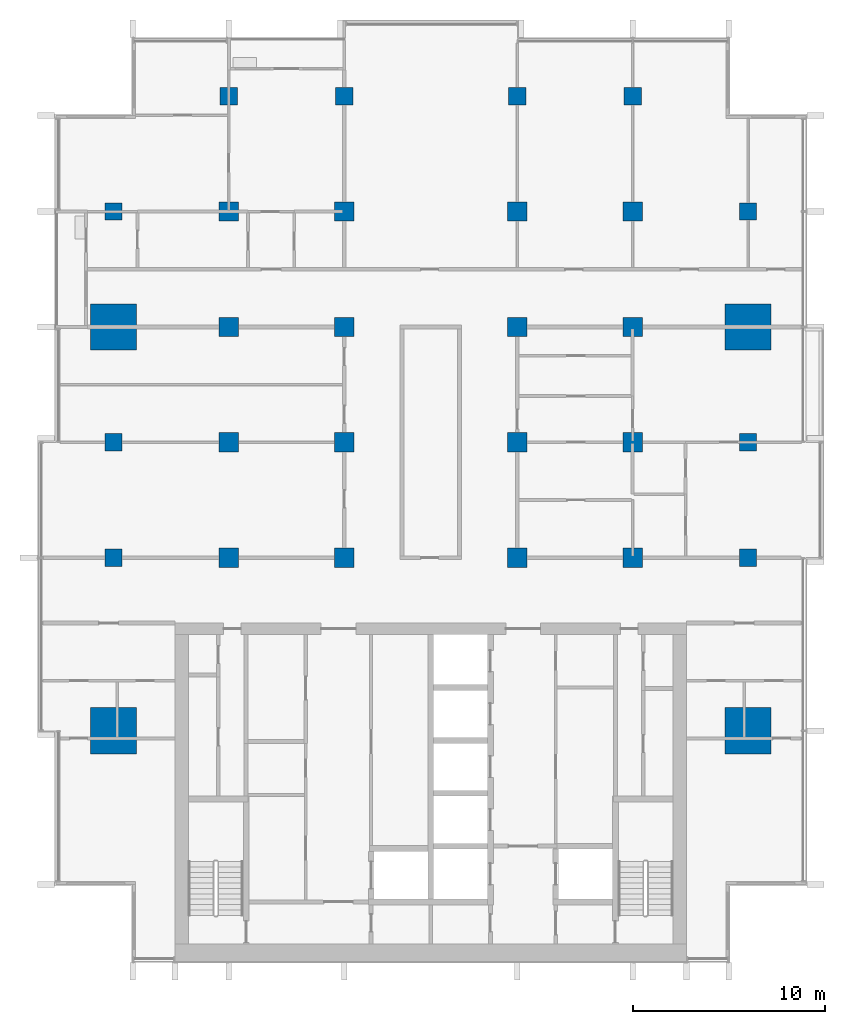
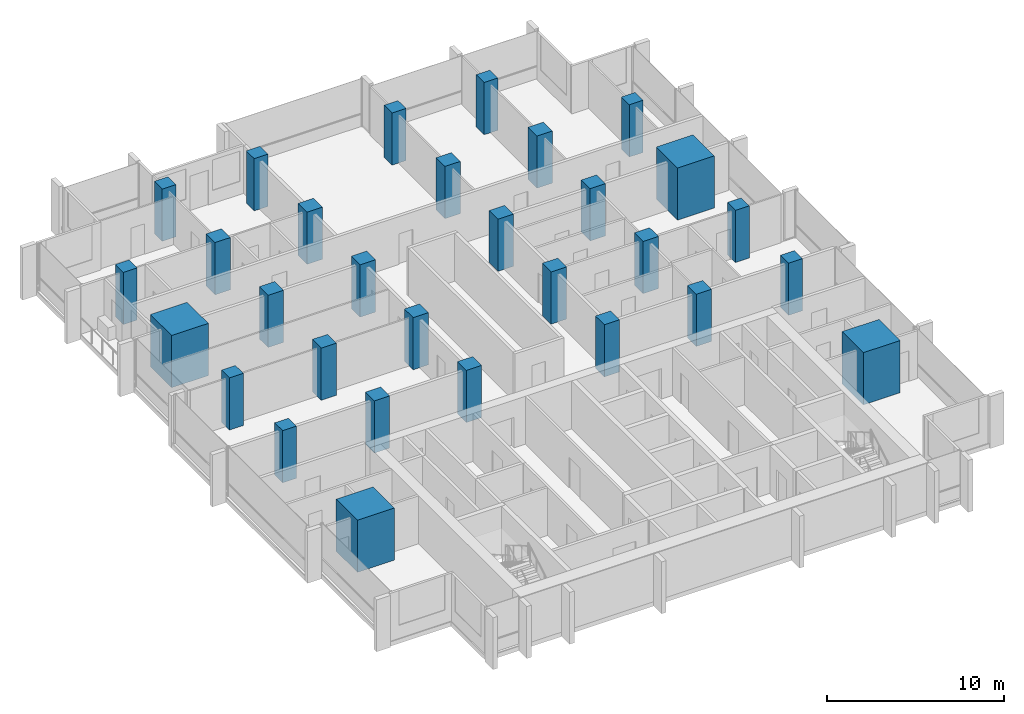
# One storey, part 1 of 16: 30 columns.
"""IFC4 building model written with IfcOpenShell, lengths in metres."""

from ifc_helpers import new_model, si_unit, direction, frame, origin, origin_2d, place, context, subcontext, project, spatial, rectangle, extrude, material, material_profile, profile_set, type_object, element, save


model = new_model("IFC4")

# Units and contexts
model_context = context("Model", 3, precision=1e-05, world=origin(), true_north=direction((0.0, 1.0)))
body_context = subcontext(model_context, "Body", "Model", "MODEL_VIEW")
ifc_project = project(units=[si_unit("LENGTHUNIT", "METRE"), si_unit("AREAUNIT", "SQUARE_METRE"), si_unit("VOLUMEUNIT", "CUBIC_METRE"), si_unit("PLANEANGLEUNIT", "RADIAN"), si_unit("MASSUNIT", "GRAM", prefix="KILO")], contexts=[model_context])

# Site, building, storey
site_placement = place(None, origin())
site = spatial("IfcSite", under=ifc_project, at=site_placement, CompositionType="ELEMENT")
building_placement = place(site_placement, origin())
building = spatial("IfcBuilding", under=site, at=building_placement, Name="Finial Court Residences", CompositionType="ELEMENT")
storey_placement = place(building_placement, frame((0.0, 0.0, 185.300048828125)))
storey = spatial("IfcBuildingStorey", under=building, at=storey_placement, Name="L46", CompositionType="ELEMENT", Elevation=185.300048828125)

# Columns
ifc_material = material(Name="Concrete C60/75", Category="concrete")
ifc_material_profile_1 = material_profile(ifc_material, rectangle(XDim=1.0, YDim=1.0, at=origin_2d()), Name="1000x1000")
ifc_profile_set_1 = profile_set([ifc_material_profile_1], Name="Concrete C60/75")
column_type_1 = type_object("IfcColumnType", Name="Interior column 1000x1000 Concrete C60/75", PredefinedType="COLUMN", material=ifc_profile_set_1)
for number, where, z_axis, x_axis, name in (
    (1, (-10.5, -4.5, 0.0), (0.0, 0.0, 1.0), (1.0, 0.0, 0.0), "S:COL:L46:D4"),
    (2, (-10.5, 1.5, 0.0), (0.0, 0.0, 1.0), (1.0, 0.0, 0.0), "S:COL:L46:D5"),
    (3, (-10.5, 7.5, 0.0), (0.0, 0.0, 1.0), (1.0, 0.0, 0.0), "S:COL:L46:D6"),
    (4, (-10.5, 13.5, 0.0), (0.0, 0.0, 1.0), (1.0, 0.0, 0.0), "S:COL:L46:D7"),
    (5, (-4.5, -4.5, 0.0), (0.0, 0.0, 1.0), (1.0, 0.0, 0.0), "S:COL:L46:E4"),
    (6, (-4.5, 1.5, 0.0), (0.0, 0.0, 1.0), (1.0, 0.0, 0.0), "S:COL:L46:E5"),
    (7, (-4.5, 7.5, 0.0), (0.0, 0.0, 1.0), (1.0, 0.0, 0.0), "S:COL:L46:E6"),
    (8, (-4.5, 13.5, 0.0), (0.0, 0.0, 1.0), (1.0, 0.0, 0.0), "S:COL:L46:E7"),
    (9, (4.5, -4.5, 0.0), (0.0, 0.0, 1.0), (1.0, 0.0, 0.0), "S:COL:L46:F4"),
    (10, (4.5, 1.5, 0.0), (0.0, 0.0, 1.0), (1.0, 0.0, 0.0), "S:COL:L46:F5"),
    (11, (4.5, 7.5, 0.0), (0.0, 0.0, 1.0), (1.0, 0.0, 0.0), "S:COL:L46:F6"),
    (12, (4.5, 13.5, 0.0), (0.0, 0.0, 1.0), (1.0, 0.0, 0.0), "S:COL:L46:F7"),
    (13, (10.5, -4.5, 0.0), (0.0, 0.0, 1.0), (1.0, 0.0, 0.0), "S:COL:L46:G4"),
    (14, (10.5, 1.5, 0.0), (0.0, 0.0, 1.0), (1.0, 0.0, 0.0), "S:COL:L46:G5"),
    (15, (10.5, 7.5, 0.0), (0.0, 0.0, 1.0), (1.0, 0.0, 0.0), "S:COL:L46:G6"),
    (16, (10.5, 13.5, 0.0), (0.0, 0.0, 1.0), (1.0, 0.0, 0.0), "S:COL:L46:G7"),
):
    element("IfcColumn", number, at=place(storey_placement, frame(where, z_axis=z_axis, x_axis=x_axis)), inside=storey, type_object=column_type_1, Name=name, PredefinedType="COLUMN", context=body_context, shape_type="SweptSolid", body=[
        extrude(rectangle(XDim=1.0, YDim=1.0, at=origin_2d()), origin(), (0.0, 0.0, 1.0), 3.599853515625),
    ])
ifc_material_profile_2 = material_profile(ifc_material, rectangle(XDim=2.39990234375, YDim=2.39990234375, at=origin_2d()), Name="2400x2400")
ifc_profile_set_2 = profile_set([ifc_material_profile_2], Name="Concrete C60/75")
column_type_2 = type_object("IfcColumnType", Name="Mega column 2400x2400 Concrete C60/75", PredefinedType="COLUMN", material=ifc_profile_set_2)
for number, where, z_axis, x_axis, name in (
    (17, (-16.5, -13.5, 0.0), (0.0, 0.0, 1.0), (1.0, 0.0, 0.0), "S:COL:L46:C3"),
    (18, (-16.5, 7.5, 0.0), (0.0, 0.0, 1.0), (1.0, 0.0, 0.0), "S:COL:L46:C6"),
    (19, (16.5, -13.5, 0.0), (0.0, 0.0, 1.0), (1.0, 0.0, 0.0), "S:COL:L46:H3"),
    (20, (16.5, 7.5, 0.0), (0.0, 0.0, 1.0), (1.0, 0.0, 0.0), "S:COL:L46:H6"),
):
    element("IfcColumn", number, at=place(storey_placement, frame(where, z_axis=z_axis, x_axis=x_axis)), inside=storey, type_object=column_type_2, Name=name, PredefinedType="COLUMN", context=body_context, shape_type="SweptSolid", body=[
        extrude(rectangle(XDim=2.39990234375, YDim=2.39990234375, at=origin_2d()), origin(), (0.0, 0.0, 1.0), 3.599853515625),
    ])
ifc_material_profile_3 = material_profile(ifc_material, rectangle(XDim=0.89990234375, YDim=0.89990234375, at=origin_2d()), Name="900x900")
ifc_profile_set_3 = profile_set([ifc_material_profile_3], Name="Concrete C60/75")
column_type_3 = type_object("IfcColumnType", Name="Perimeter column 900x900 Concrete C60/75", PredefinedType="COLUMN", material=ifc_profile_set_3)
for number, where, z_axis, x_axis, name in (
    (21, (-16.5, -4.5, 0.0), (0.0, 0.0, 1.0), (1.0, 0.0, 0.0), "S:COL:L46:C4"),
    (22, (-16.5, 1.5, 0.0), (0.0, 0.0, 1.0), (1.0, 0.0, 0.0), "S:COL:L46:C5"),
    (23, (-16.5, 13.5, 0.0), (0.0, 0.0, 1.0), (1.0, 0.0, 0.0), "S:COL:L46:C7"),
    (24, (-10.5, 19.5, 0.0), (0.0, 0.0, 1.0), (1.0, 0.0, 0.0), "S:COL:L46:D8"),
    (25, (-4.5, 19.5, 0.0), (0.0, 0.0, 1.0), (1.0, 0.0, 0.0), "S:COL:L46:E8"),
    (26, (4.5, 19.5, 0.0), (0.0, 0.0, 1.0), (1.0, 0.0, 0.0), "S:COL:L46:F8"),
    (27, (10.5, 19.5, 0.0), (0.0, 0.0, 1.0), (1.0, 0.0, 0.0), "S:COL:L46:G8"),
    (28, (16.5, -4.5, 0.0), (0.0, 0.0, 1.0), (1.0, 0.0, 0.0), "S:COL:L46:H4"),
    (29, (16.5, 1.5, 0.0), (0.0, 0.0, 1.0), (1.0, 0.0, 0.0), "S:COL:L46:H5"),
    (30, (16.5, 13.5, 0.0), (0.0, 0.0, 1.0), (1.0, 0.0, 0.0), "S:COL:L46:H7"),
):
    element("IfcColumn", number, at=place(storey_placement, frame(where, z_axis=z_axis, x_axis=x_axis)), inside=storey, type_object=column_type_3, Name=name, PredefinedType="COLUMN", context=body_context, shape_type="SweptSolid", body=[
        extrude(rectangle(XDim=0.89990234375, YDim=0.89990234375, at=origin_2d()), origin(), (0.0, 0.0, 1.0), 3.599853515625),
    ])

save(model, "model.ifc")
